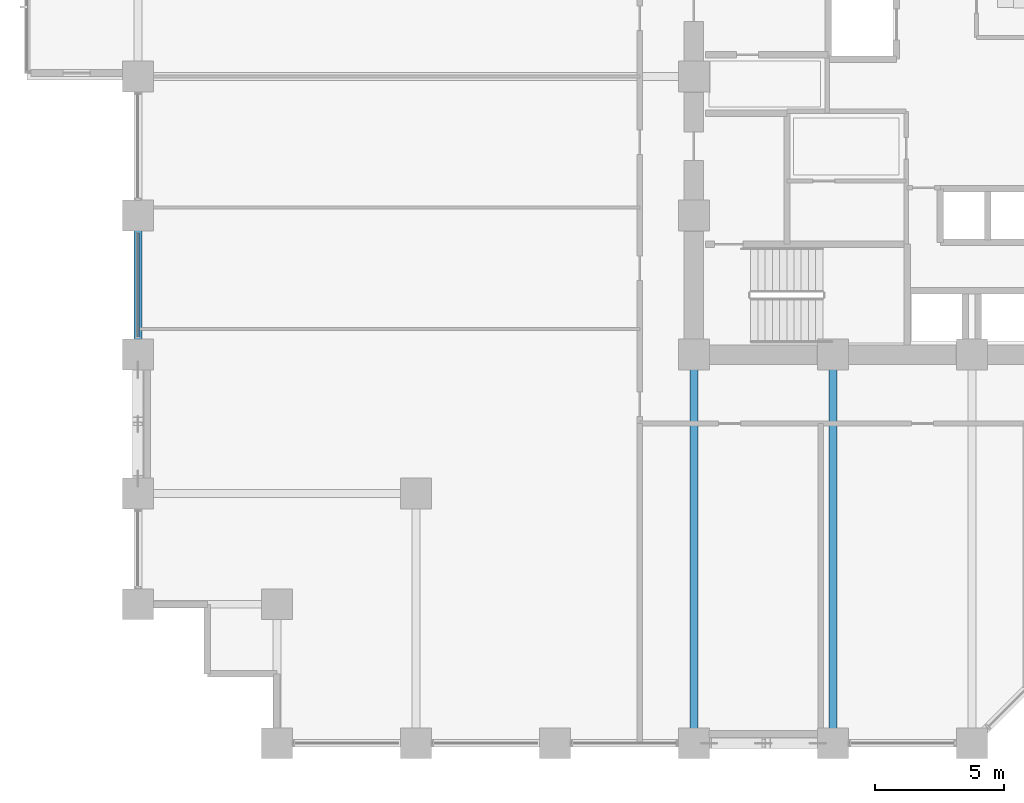
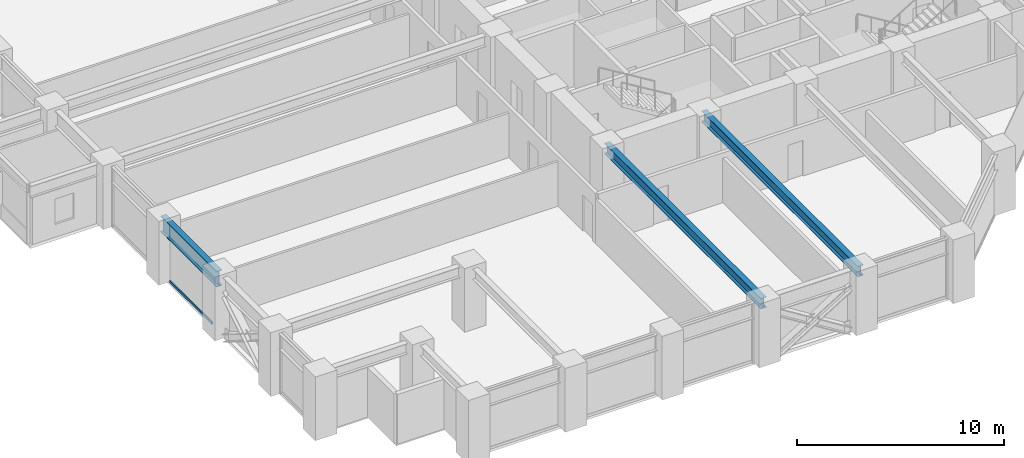
# One storey, part 4 of 28: 3 beams, 1 member, 1 element without a shape of its own.
"""IFC4 building model written with IfcOpenShell, lengths in metres."""

import ifcopenshell
import ifcopenshell.guid

model = None  # the IFC model being written
_history = None  # IfcOwnerHistory: only IFC2X3 demands one
_inside = {}  # id of a spatial element -> (the spatial element, [elements in it])
_under = {}  # id of a project, library or spatial element -> (it, [spatial elements below it])
_declared = {}  # id of a project -> (the project, [libraries it declares])
_typed = {}  # id of a type object -> (the type object, [elements of that type])
_made_of = {}  # id of a material, layer set ... -> (it, [elements and type objects made of it])


def new_model(schema):
    """Start an empty IFC model of exactly this schema.

    Asked for "IFC4X3", IfcOpenShell would pick the latest addendum, in which some entities
    have other attributes; the version numbers below select the first issue.
    IFC2X3 requires an IfcOwnerHistory on every rooted entity: one is made here for all.
    """
    global model, _history
    if schema == "IFC4X3":
        model = ifcopenshell.file(schema_version=(4, 3, 0, 0))
    else:
        model = ifcopenshell.file(schema=schema)
    _inside.clear()
    _under.clear()
    _declared.clear()
    _typed.clear()
    _made_of.clear()
    _history = None
    if model.schema == "IFC2X3":
        org = make("IfcOrganization", Name="unknown")
        user = make(
            "IfcPersonAndOrganization",
            ThePerson=make("IfcPerson", FamilyName="unknown"),
            TheOrganization=org,
        )
        app = make(
            "IfcApplication",
            ApplicationDeveloper=org,
            Version="unknown",
            ApplicationFullName="unknown",
            ApplicationIdentifier="unknown",
        )
        _history = make(
            "IfcOwnerHistory",
            OwningUser=user,
            OwningApplication=app,
            ChangeAction="ADDED",
            CreationDate=0,
        )
    return model


def make(cls, **values):
    """One entity of the class cls with the attributes given. An attribute that is None is left unset."""
    return model.create_entity(
        cls, **{name: value for name, value in values.items() if value is not None}
    )


def rooted(cls, **values):
    """An entity with a GlobalId (a new one), such as an element, a storey or a relation."""
    return make(cls, GlobalId=ifcopenshell.guid.new(), OwnerHistory=_history, **values)


def si_unit(unit_type, name, prefix=None):
    """IfcSIUnit, for example si_unit("LENGTHUNIT", "METRE", prefix="MILLI")."""
    return make("IfcSIUnit", UnitType=unit_type, Prefix=prefix, Name=name)


def assignment(units):
    """IfcUnitAssignment: the units of a project."""
    return None if units is None else make("IfcUnitAssignment", Units=units)


def point(xyz):
    """IfcCartesianPoint."""
    return None if xyz is None else make("IfcCartesianPoint", Coordinates=xyz)


def direction(xyz):
    """IfcDirection."""
    return None if xyz is None else make("IfcDirection", DirectionRatios=xyz)


def frame(location, z_axis=None, x_axis=None):
    """IfcAxis2Placement3D, a coordinate frame: its origin and axes. An axis left out is left unset."""
    return make(
        "IfcAxis2Placement3D",
        Location=point(location),
        Axis=direction(z_axis),
        RefDirection=direction(x_axis),
    )


def frame_2d(location, x_axis=None):
    """IfcAxis2Placement2D, a coordinate frame in the plane: its origin and x axis."""
    return make(
        "IfcAxis2Placement2D", Location=point(location), RefDirection=direction(x_axis)
    )


def origin():
    """The frame at (0, 0, 0) with its axes left unset."""
    return frame((0.0, 0.0, 0.0))


def origin_2d():
    """The frame at (0, 0) in the plane with its x axis left unset."""
    return frame_2d((0.0, 0.0))


def place(relative_to, where):
    """IfcLocalPlacement: puts the frame where relative to a parent placement (None: the world)."""
    return make(
        "IfcLocalPlacement", PlacementRelTo=relative_to, RelativePlacement=where
    )


def context(
    kind, dimensions, precision=None, world=None, true_north=None, identifier=None
):
    """IfcGeometricRepresentationContext, for example the 3D "Model" context."""
    return make(
        "IfcGeometricRepresentationContext",
        ContextIdentifier=identifier,
        ContextType=kind,
        CoordinateSpaceDimension=dimensions,
        Precision=precision,
        WorldCoordinateSystem=world,
        TrueNorth=true_north,
    )


def subcontext(parent, identifier, kind, view, scale=None):
    """IfcGeometricRepresentationSubContext, for example "Body" below "Model"."""
    return make(
        "IfcGeometricRepresentationSubContext",
        ContextIdentifier=identifier,
        ContextType=kind,
        ParentContext=parent,
        TargetScale=scale,
        TargetView=view,
    )


def project(units=None, contexts=None):
    """IfcProject with its units and contexts."""
    return rooted(
        "IfcProject",
        Name="project",
        RepresentationContexts=contexts,
        UnitsInContext=assignment(units),
    )


def spatial(cls, under=None, at=None, **own):
    """A site, building, storey or space (cls), placed at a placement, below another one or the project."""
    s = rooted(cls, ObjectPlacement=at, **own)
    if under is not None:
        _under.setdefault(under.id(), (under, []))[1].append(s)
    return s


def profile(cls, at=None, kind="AREA", **sizes):
    """A parametric profile (cls). Its sizes go by their IFC names, for example OverallWidth=200.0."""
    return make(cls, ProfileType=kind, Position=at, **sizes)


def hollow_rectangle(**sizes):
    """IfcRectangleHollowProfileDef."""
    return profile("IfcRectangleHollowProfileDef", **sizes)


def i_section(**sizes):
    """IfcIShapeProfileDef."""
    return profile("IfcIShapeProfileDef", **sizes)


def extrude(swept, where, along, depth):
    """IfcExtrudedAreaSolid: the profile swept, set in the frame where, extruded along a direction by depth."""
    return make(
        "IfcExtrudedAreaSolid",
        SweptArea=swept,
        Position=where,
        ExtrudedDirection=direction(along),
        Depth=depth,
    )


def shape(context_of_items, identifier, shape_type, items):
    """IfcShapeRepresentation: the items that make up one representation, for example the "Body"."""
    return make(
        "IfcShapeRepresentation",
        ContextOfItems=context_of_items,
        RepresentationIdentifier=identifier,
        RepresentationType=shape_type,
        Items=items,
    )


def material(Name=None, Category=None):
    """IfcMaterial."""
    return make("IfcMaterial", Name=Name, Category=Category)


def layer(
    of_material, thickness, ventilated=None, Name=None, Category=None, Priority=None
):
    """IfcMaterialLayer: one layer of a wall or slab, of a material (None: an air gap)."""
    return make(
        "IfcMaterialLayer",
        Material=of_material,
        LayerThickness=thickness,
        IsVentilated=ventilated,
        Name=Name,
        Category=Category,
        Priority=Priority,
    )


def layer_set(layers, Name=None):
    """IfcMaterialLayerSet."""
    return make("IfcMaterialLayerSet", MaterialLayers=layers, LayerSetName=Name)


def material_profile(
    of_material, cross_section, Name=None, Category=None, Priority=None
):
    """IfcMaterialProfile: a cross section and its material."""
    return make(
        "IfcMaterialProfile",
        Name=Name,
        Material=of_material,
        Profile=cross_section,
        Priority=Priority,
        Category=Category,
    )


def profile_set(profiles, Name=None, composite=None):
    """IfcMaterialProfileSet."""
    return make(
        "IfcMaterialProfileSet",
        Name=Name,
        MaterialProfiles=profiles,
        CompositeProfile=composite,
    )


def made_of(thing, what):
    """Note that an element or type object is made of a material, layer set ...; save() writes the relation."""
    if what is not None:
        _made_of.setdefault(what.id(), (what, []))[1].append(thing)
    return thing


def type_object(cls, material=None, **own):
    """A type object (cls), such as IfcWallType, which elements share."""
    return made_of(rooted(cls, **own), material)


def element(
    cls,
    number,
    at=None,
    inside=None,
    cuts=None,
    type_object=None,
    material=None,
    context=None,
    identifier="Body",
    shape_type=None,
    held_by="IfcProductDefinitionShape",
    body=None,
    shapes=None,
    **own,
):
    """One element of the class cls, such as IfcWall. Its Tag is "e" and its number.

    at: its placement. inside: the storey or other place that contains it. cuts: it is an
    opening in that element (IfcRelVoidsElement). A single representation is given by context,
    identifier, shape_type and body (its items); several are given by shapes. held_by: the class
    of the entity that holds the representations. save() writes the other relations.
    """
    e = rooted(cls, Tag="e%d" % number, ObjectPlacement=at, **own)
    if body is not None:
        shapes = [shape(context, identifier, shape_type, body)]
    if shapes is not None:
        e.Representation = make(held_by, Representations=shapes)
    if inside is not None:
        _inside.setdefault(inside.id(), (inside, []))[1].append(e)
    if cuts is not None:
        rooted(
            "IfcRelVoidsElement", RelatingBuildingElement=cuts, RelatedOpeningElement=e
        )
    if type_object is not None:
        _typed.setdefault(type_object.id(), (type_object, []))[1].append(e)
    return made_of(e, material)


def aggregate(whole, parts):
    """IfcRelAggregates: a whole, such as a stair, and the parts it consists of."""
    return rooted("IfcRelAggregates", RelatingObject=whole, RelatedObjects=parts)


def save(model, path):
    """Write the relations noted so far, then the file.

    IfcRelAggregates (storeys below a building ...), IfcRelContainedInSpatialStructure (elements
    in a storey), IfcRelDefinesByType, IfcRelAssociatesMaterial and IfcRelDeclares: one each for
    every whole, place, type object, material and project.
    """
    for whole, parts in _under.values():
        aggregate(whole, parts)
    for where, things in _inside.values():
        rooted(
            "IfcRelContainedInSpatialStructure",
            RelatedElements=things,
            RelatingStructure=where,
        )
    for kind, things in _typed.values():
        rooted("IfcRelDefinesByType", RelatedObjects=things, RelatingType=kind)
    for what, things in _made_of.values():
        rooted("IfcRelAssociatesMaterial", RelatedObjects=things, RelatingMaterial=what)
    for by, libraries in _declared.values():
        rooted("IfcRelDeclares", RelatingContext=by, RelatedDefinitions=libraries)
    model.write(path)


model = new_model("IFC4")

# Units and contexts
model_context = context("Model", 3, precision=1e-05, world=origin(), true_north=direction((0.0, 1.0)))
body_context = subcontext(model_context, "Body", "Model", "MODEL_VIEW")
ifc_project = project(units=[si_unit("LENGTHUNIT", "METRE"), si_unit("AREAUNIT", "SQUARE_METRE"), si_unit("VOLUMEUNIT", "CUBIC_METRE"), si_unit("PLANEANGLEUNIT", "RADIAN"), si_unit("MASSUNIT", "GRAM", prefix="KILO")], contexts=[model_context])

# Site, building, storey
site_placement = place(None, origin())
site = spatial("IfcSite", under=ifc_project, at=site_placement, CompositionType="ELEMENT")
building_placement = place(site_placement, origin())
building = spatial("IfcBuilding", under=site, at=building_placement, Name="Surkhivell Harbour Commons", CompositionType="ELEMENT")
storey_placement = place(building_placement, frame((0.0, 0.0, 67.5)))
storey = spatial("IfcBuildingStorey", under=building, at=storey_placement, Name="L17", CompositionType="ELEMENT", Elevation=67.5)

# Beams
ifc_material_1 = material(Name="Steel S355", Category="steel")
ifc_material_profile_1 = material_profile(ifc_material_1, i_section(OverallWidth=0.306884765625, OverallDepth=0.6201171875, WebThickness=0.01416015625, FlangeThickness=0.023681640625, at=origin_2d()), Name="UB610x305x179")
ifc_profile_set_1 = profile_set([ifc_material_profile_1], Name="Steel S355")
beam_type_1 = type_object("IfcBeamType", Name="BM-GRD-610A", PredefinedType="BEAM", material=ifc_profile_set_1)
for number, where, z_axis, x_axis, name in (
    (1, (-10.800048828125, -25.89990234375, 3.260009765625), (0.0, 1.0, 0.0), (-1.0, 0.0, 0.0), "L17 Floor Girder (-10.8,-25.9)"),
    (2, (-5.39990234375, -25.89990234375, 3.260009765625), (0.0, 1.0, 0.0), (-1.0, 0.0, 0.0), "L17 Floor Girder (-5.4,-25.9)"),
):
    element("IfcBeam", number, at=place(storey_placement, frame(where, z_axis=z_axis, x_axis=x_axis)), inside=storey, type_object=beam_type_1, Name=name, PredefinedType="BEAM", context=body_context, shape_type="SweptSolid", body=[
        extrude(i_section(OverallWidth=0.306884765625, OverallDepth=0.6201171875, WebThickness=0.01416015625, FlangeThickness=0.023681640625, at=origin_2d()), origin(), (0.0, 0.0, 1.0), 15.099853515625),
    ])
ifc_material_2 = material(Name="Steel S460", Category="steel")
ifc_material_profile_2 = material_profile(ifc_material_2, i_section(OverallWidth=0.30810546875, OverallDepth=0.927001953125, WebThickness=0.01953125, FlangeThickness=0.031982421875, at=origin_2d()), Name="UB914x305x289")
ifc_profile_set_2 = profile_set([ifc_material_profile_2], Name="Steel S460")
beam_type_2 = type_object("IfcBeamType", Name="BM-SPN-914B", PredefinedType="SPANDREL", material=ifc_profile_set_2)
beam_placement = place(storey_placement, frame((-32.39990234375, -10.800048828125, 3.1064453125), z_axis=(0.0, 1.0, 0.0), x_axis=(-1.0, 0.0, 0.0)))
element("IfcBeam", 3, at=beam_placement, inside=storey, type_object=beam_type_2, Name="L17 Tube Spandrel (-32.4,-10.8)", PredefinedType="SPANDREL", context=body_context, shape_type="SweptSolid", body=[
    extrude(i_section(OverallWidth=0.30810546875, OverallDepth=0.927001953125, WebThickness=0.01953125, FlangeThickness=0.031982421875, at=origin_2d()), origin(), (0.0, 0.0, 1.0), 5.400146484375),
])

# Curtain wall, member
ifc_material_3 = material(Name="Anodised pale-metal aluminium and insulated glazing", Category="aluminium")
ifc_layer = layer(ifc_material_3, 0.219970703125)
ifc_layer_set = layer_set([ifc_layer], Name="Anodised pale-metal aluminium and insulated glazing")
curtain_wall_type = type_object("IfcCurtainWallType", Name="CW-SYS-Z1", PredefinedType="NOTDEFINED", material=ifc_layer_set)
curtain_wall_placement = place(storey_placement, origin())
curtain_wall = element("IfcCurtainWall", 4, at=curtain_wall_placement, inside=storey, type_object=curtain_wall_type, Name="L17 Curtain Wall CW-L17-E12R1S2", PredefinedType="NOTDEFINED")
ifc_material_4 = material(Name="Anodised pale-metal aluminium alloy 6063-T6", Category="aluminium")
ifc_material_profile_3 = material_profile(ifc_material_4, hollow_rectangle(XDim=0.074951171875, YDim=0.14990234375, WallThickness=0.00341796875, at=origin_2d()), Name="ALU-TRAN-75x150")
ifc_profile_set_3 = profile_set([ifc_material_profile_3], Name="Anodised pale-metal aluminium alloy 6063-T6")
member_type = type_object("IfcMemberType", Name="CWT-150", PredefinedType="USERDEFINED", material=ifc_profile_set_3)
member_placement = place(storey_placement, frame((-32.39990234375, -10.123046875, 0.074951171875), z_axis=(0.0, 1.0, 0.0), x_axis=(-1.0, 0.0, 0.0)))
member = element("IfcMember", 5, at=member_placement, type_object=member_type, Name="CW-Z1 transom 1.1", ObjectType="TRANSOM", PredefinedType="USERDEFINED", context=body_context, shape_type="SweptSolid", body=[
    extrude(hollow_rectangle(XDim=0.074951171875, YDim=0.14990234375, WallThickness=0.00341796875, at=origin_2d()), origin(), (0.0, 0.0, 1.0), 4.046142578125),
])
aggregate(curtain_wall, [member])

save(model, "model.ifc")
